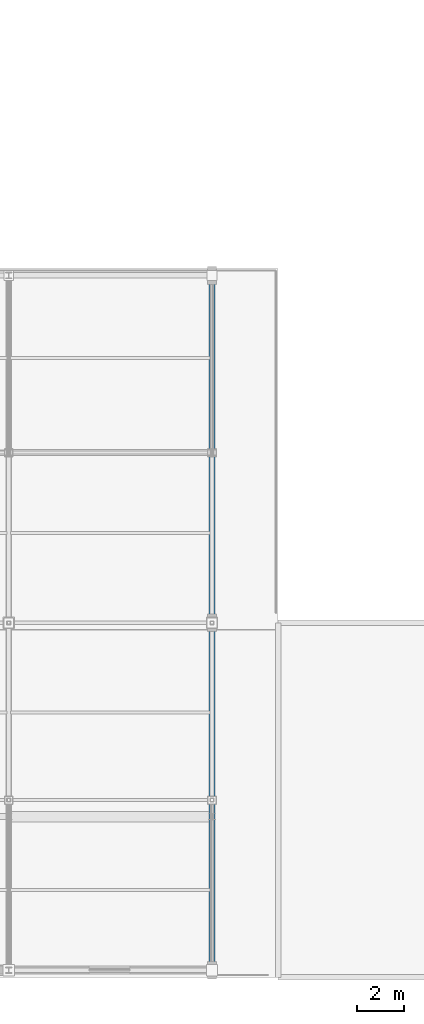
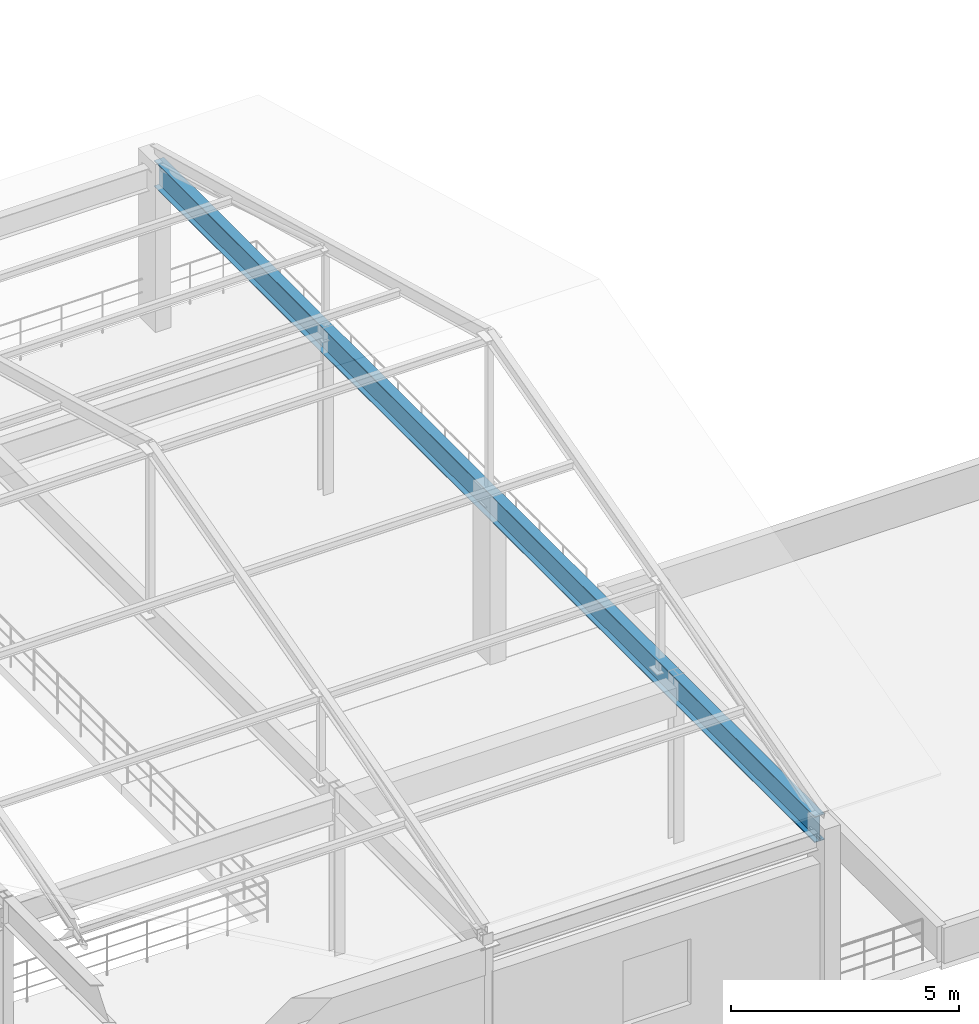
# One storey, part 35 of 112: 1 beam.
"""IFC4 building model written with IfcOpenShell, lengths in metres."""

from ifc_helpers import new_model, si_unit, direction, frame, origin, origin_2d, place, context, subcontext, project, spatial, i_section, extrude, material, material_profile, profile_set, type_object, element, save


model = new_model("IFC4")

# Units and contexts
model_context = context("Model", 3, precision=1e-05, world=origin(), true_north=direction((0.0, 1.0)))
body_context = subcontext(model_context, "Body", "Model", "MODEL_VIEW")
ifc_project = project(units=[si_unit("LENGTHUNIT", "METRE"), si_unit("AREAUNIT", "SQUARE_METRE"), si_unit("VOLUMEUNIT", "CUBIC_METRE"), si_unit("PLANEANGLEUNIT", "RADIAN"), si_unit("MASSUNIT", "GRAM", prefix="KILO")], contexts=[model_context])

# Site, building, storey
site_placement = place(None, origin())
site = spatial("IfcSite", under=ifc_project, at=site_placement, CompositionType="ELEMENT")
building_placement = place(site_placement, origin())
building = spatial("IfcBuilding", under=site, at=building_placement, Name="Cinderbank Siding Concert Hall", CompositionType="ELEMENT")
storey_placement = place(building_placement, frame((0.0, 0.0, 10.199951171875)))
storey = spatial("IfcBuildingStorey", under=building, at=storey_placement, Name="L03", CompositionType="ELEMENT", Elevation=10.199951171875)

# Beam
ifc_material = material(Name="Structural steel welded plate section AS/NZS 3679.2 / AS/NZS 3678 Grade 350 (340 MPa)", Category="steel")
ifc_material_profile = material_profile(ifc_material, i_section(OverallWidth=0.25, OverallDepth=0.699951171875, WebThickness=0.011962890625, FlangeThickness=0.02001953125, at=origin_2d()), Name="700WB150", Category="LoadBearing")
ifc_profile_set = profile_set([ifc_material_profile], Name="Structural steel welded plate section AS/NZS 3679.2 / AS/NZS 3678 Grade 350 (340 MPa)")
beam_type = type_object("IfcBeamType", Name="BM-WB700H 700WB150", PredefinedType="BEAM", material=ifc_profile_set)
beam_placement = place(storey_placement, frame((46.0, 6.2919921875, 4.130126953125), z_axis=(0.0, 1.0, 0.0), x_axis=(-1.0, 0.0, 0.0)))
element("IfcBeam", 1, at=beam_placement, inside=storey, type_object=beam_type, Name="L03 Beam BM-WB700H #21", PredefinedType="BEAM", context=body_context, shape_type="SweptSolid", body=[
    extrude(i_section(OverallWidth=0.25, OverallDepth=0.699951171875, WebThickness=0.011962890625, FlangeThickness=0.02001953125, at=origin_2d()), origin(), (0.0, 0.0, 1.0), 29.01611328125),
])

save(model, "model.ifc")
